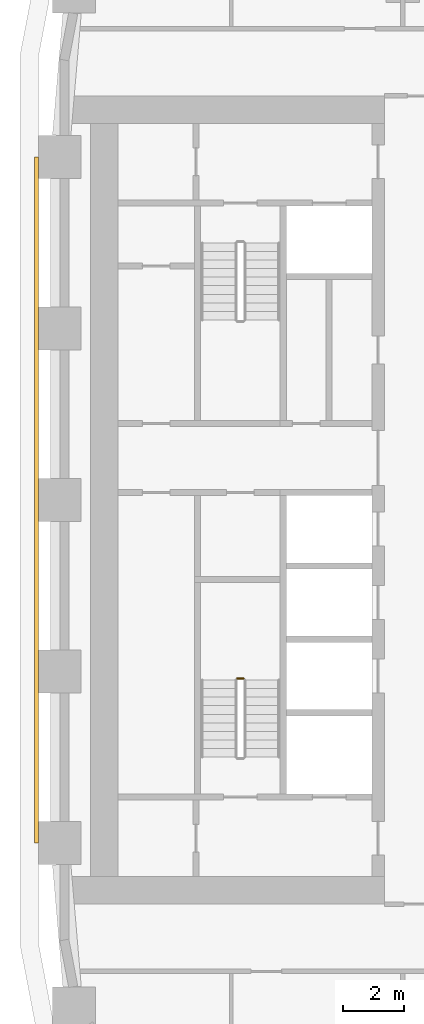
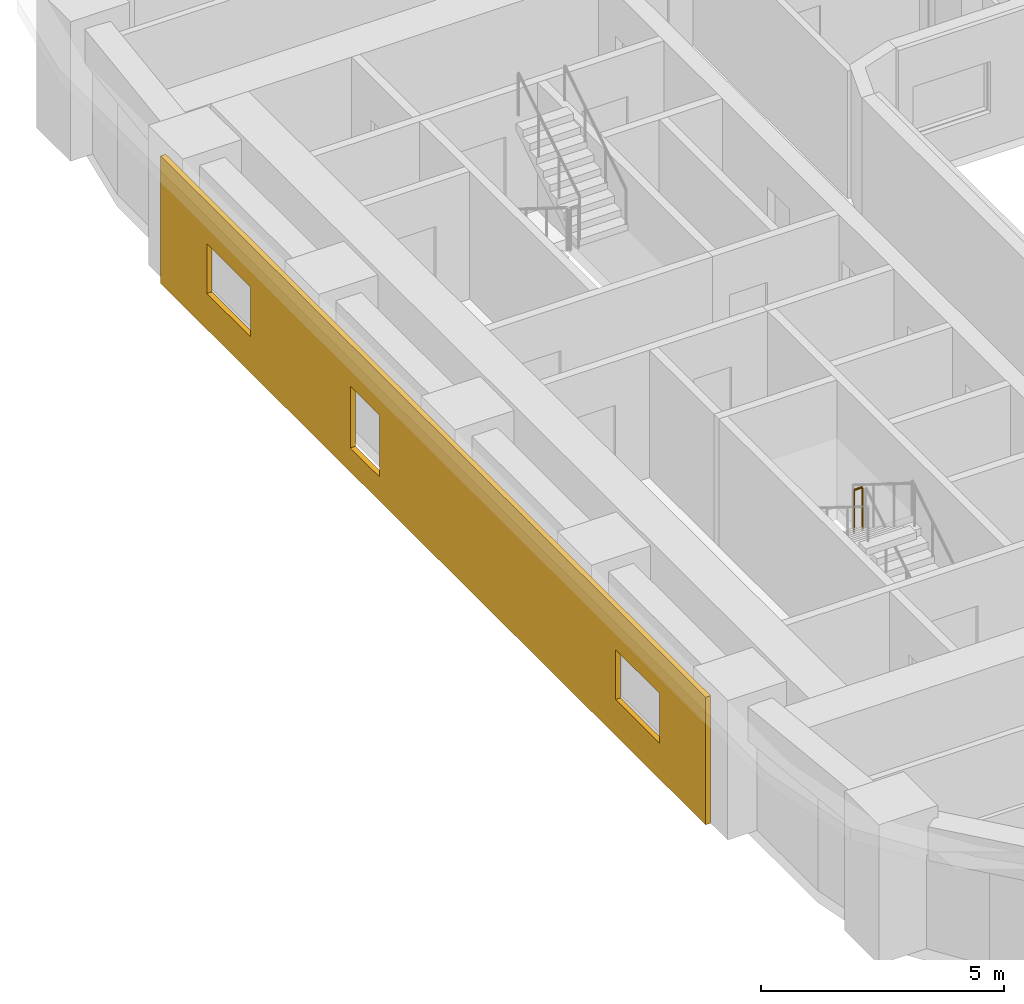
# One storey, part 14 of 22: 1 covering, 1 railing.
"""IFC4 building model written with IfcOpenShell, lengths in metres."""

from ifc_helpers import new_model, si_unit, direction, frame, origin, origin_2d, place, context, subcontext, project, spatial, polyline, circle, outline, extrude, material, layer, layer_set, type_object, element, save


model = new_model("IFC4")

# Units and contexts
model_context = context("Model", 3, precision=1e-05, world=origin(), true_north=direction((0.0, 1.0)))
body_context = subcontext(model_context, "Body", "Model", "MODEL_VIEW")
ifc_project = project(units=[si_unit("LENGTHUNIT", "METRE"), si_unit("AREAUNIT", "SQUARE_METRE"), si_unit("VOLUMEUNIT", "CUBIC_METRE"), si_unit("PLANEANGLEUNIT", "RADIAN"), si_unit("MASSUNIT", "GRAM", prefix="KILO")], contexts=[model_context])

# Site, building, storey
site_placement = place(None, origin())
site = spatial("IfcSite", under=ifc_project, at=site_placement, CompositionType="ELEMENT")
building_placement = place(site_placement, origin())
building = spatial("IfcBuilding", under=site, at=building_placement, Name="Kiln Ring Residences", CompositionType="ELEMENT")
storey_placement = place(building_placement, frame((0.0, 0.0, 65.5)))
storey = spatial("IfcBuildingStorey", under=building, at=storey_placement, Name="L16", CompositionType="ELEMENT", Elevation=65.5)

# Railing
ifc_material_1 = material(Name="Stainless steel", Category="steel")
railing_type = type_object("IfcRailingType", Name="CORE-STAIR-GUARD", PredefinedType="GUARDRAIL", material=ifc_material_1)
railing_placement = place(storey_placement, frame((-22.0, -5.830078125, 1.75)))
element("IfcRailing", 1, at=railing_placement, inside=storey, type_object=railing_type, Name="L16 W-STS stair guard 2", PredefinedType="GUARDRAIL", context=body_context, shape_type="SweptSolid", body=[
    extrude(circle(Radius=0.02392578125, at=origin_2d()), frame((0.0, 0.0, 1.076171875), z_axis=(-1.0, 0.0, 0.0), x_axis=(0.0, -1.0, 0.0)), (0.0, 0.0, 1.0), 0.199951171875),
    extrude(circle(Radius=0.02099609375, at=origin_2d()), origin(), (0.0, 0.0, 1.0), 1.052001953125),
    extrude(circle(Radius=0.02099609375, at=origin_2d()), frame((-0.199951171875, 0.0, 0.0)), (0.0, 0.0, 1.0), 1.052001953125),
])

# Covering
ifc_material_2 = material(Name="Brick masonry, dark clay brick", Category="masonry")
ifc_layer = layer(ifc_material_2, 0.1201171875)
ifc_layer_set = layer_set([ifc_layer], Name="RAINSCREEN PANEL 120")
covering_type = type_object("IfcCoveringType", Name="RAINSCREEN PANEL 120", PredefinedType="CLADDING", material=ifc_layer_set)
covering_placement = place(storey_placement, frame((-28.760009765625, 11.199951171875, 0.0), z_axis=(0.0, 0.0, 1.0), x_axis=(0.0, -1.0, 0.0)))
element("IfcCovering", 2, at=covering_placement, inside=storey, type_object=covering_type, Name="RAINSCREEN L16", PredefinedType="CLADDING", context=body_context, shape_type="SweptSolid", body=[
    extrude(outline(polyline([(0.0, 0.0), (22.39990234375, 0.0), (22.39990234375, 3.199951171875), (0.0, 3.199951171875), (0.0, 0.0)]), holes=[polyline([(9.0, 2.14990234375), (7.800048828125, 2.14990234375), (7.800048828125, 0.60009765625), (9.0, 0.60009765625), (9.0, 2.14990234375)]), polyline([(3.699951171875, 0.89990234375), (3.699951171875, 2.14990234375), (1.89990234375, 2.14990234375), (1.89990234375, 0.89990234375), (3.699951171875, 0.89990234375)]), polyline([(20.5, 0.89990234375), (20.5, 2.14990234375), (18.699951171875, 2.14990234375), (18.699951171875, 0.89990234375), (20.5, 0.89990234375)])]), frame((0.0, 0.06005859375, 0.0), z_axis=(0.0, -1.0, 0.0), x_axis=(1.0, 0.0, 0.0)), (0.0, 0.0, 1.0), 0.1201171875),
])

save(model, "model.ifc")
